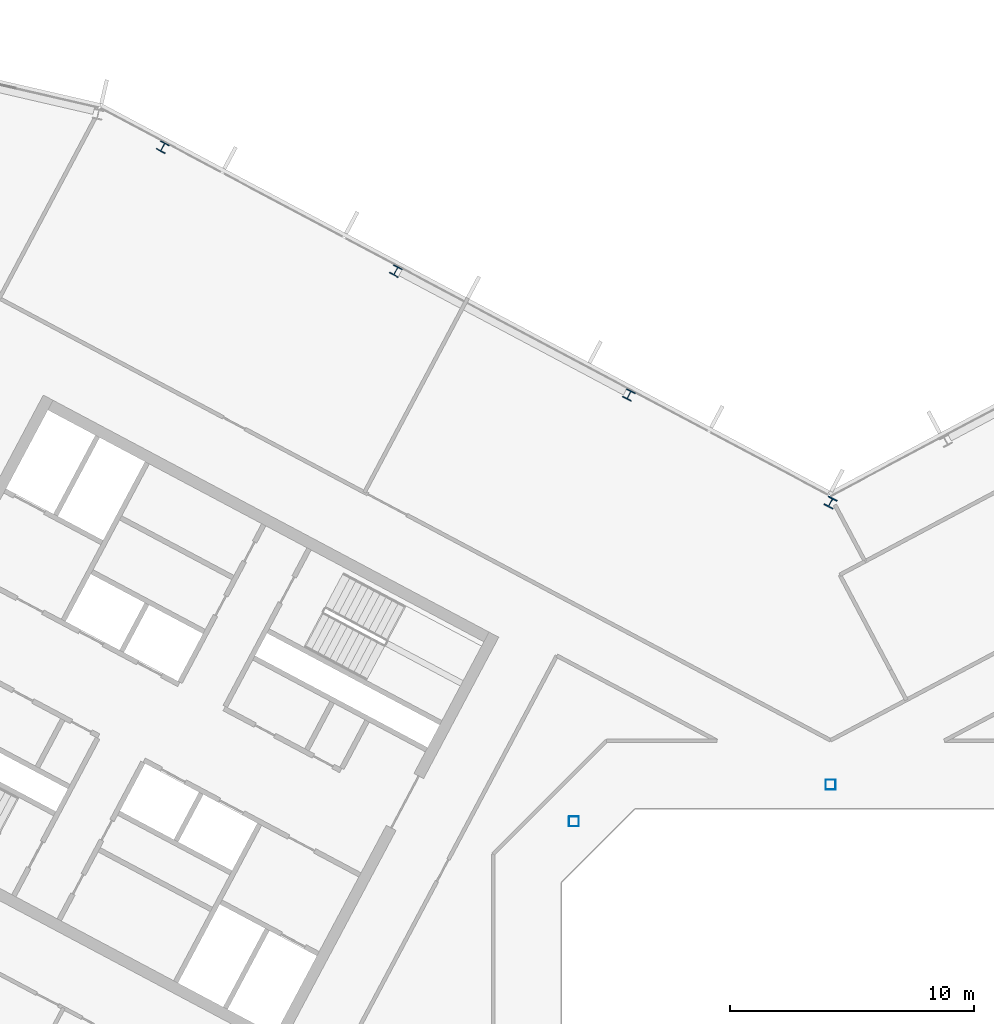
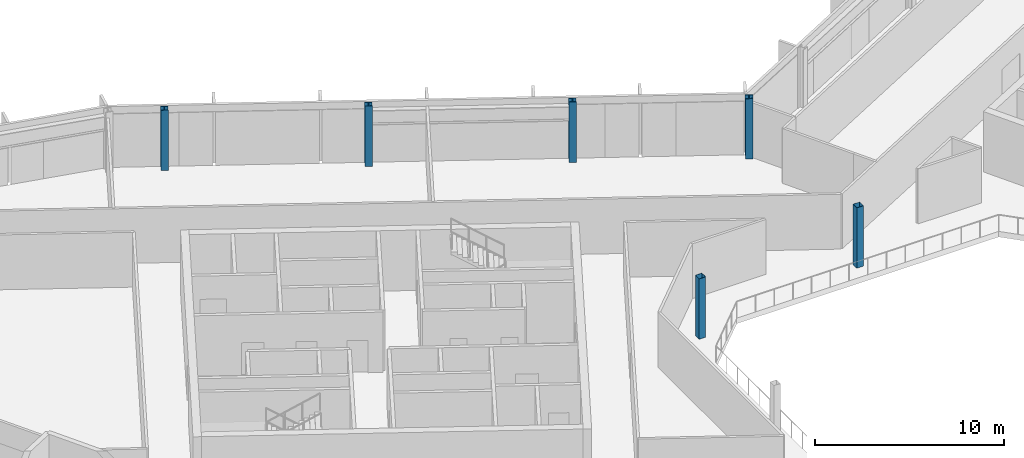
# One storey, part 4 of 26: 6 columns.
"""IFC4 building model written with IfcOpenShell, lengths in metres."""

from ifc_helpers import new_model, si_unit, direction, frame, origin, origin_2d, place, context, subcontext, project, spatial, hollow_rectangle, i_section, extrude, material, material_profile, profile_set, type_object, element, save


model = new_model("IFC4")

# Units and contexts
model_context = context("Model", 3, precision=1e-05, world=origin(), true_north=direction((0.0, 1.0)))
body_context = subcontext(model_context, "Body", "Model", "MODEL_VIEW")
ifc_project = project(units=[si_unit("LENGTHUNIT", "METRE"), si_unit("AREAUNIT", "SQUARE_METRE"), si_unit("VOLUMEUNIT", "CUBIC_METRE"), si_unit("PLANEANGLEUNIT", "RADIAN"), si_unit("MASSUNIT", "GRAM", prefix="KILO")], contexts=[model_context])

# Site, building, storey
site_placement = place(None, origin())
site = spatial("IfcSite", under=ifc_project, at=site_placement, CompositionType="ELEMENT")
building_placement = place(site_placement, origin())
building = spatial("IfcBuilding", under=site, at=building_placement, Name="Cormorant Relay Tower", CompositionType="ELEMENT")
storey_placement = place(building_placement, frame((0.0, 0.0, 277.5)))
storey = spatial("IfcBuildingStorey", under=building, at=storey_placement, Name="L62", CompositionType="ELEMENT", Elevation=277.5)

# Columns
ifc_material_1 = material(Name="Steel ASTM A500 Grade C (Fy 345 MPa)", Category="steel")
ifc_material_profile_1 = material_profile(ifc_material_1, hollow_rectangle(XDim=0.406494140625, YDim=0.406494140625, WallThickness=0.0087890625, InnerFilletRadius=0.00439453125, OuterFilletRadius=0.01318359375, at=origin_2d()), Name="HSS406x406x9")
ifc_profile_set_1 = profile_set([ifc_material_profile_1], Name="Steel ASTM A500 Grade C (Fy 345 MPa)")
column_type_1 = type_object("IfcColumnType", Name="Column HSS406x406x9", PredefinedType="COLUMN", material=ifc_profile_set_1)
for number, where, z_axis, x_axis, name in (
    (1, (-10.5, 10.5, 0.0), (0.0, 0.0, 1.0), (1.0, 0.0, 0.0), "Column L62-023"),
    (2, (0.0, 12.0, 0.0), (0.0, 0.0, 1.0), (1.0, 0.0, 0.0), "Column L62-025"),
):
    element("IfcColumn", number, at=place(storey_placement, frame(where, z_axis=z_axis, x_axis=x_axis)), inside=storey, type_object=column_type_1, Name=name, PredefinedType="COLUMN", context=body_context, shape_type="SweptSolid", body=[
        extrude(hollow_rectangle(XDim=0.406494140625, YDim=0.406494140625, WallThickness=0.0087890625, InnerFilletRadius=0.00439453125, OuterFilletRadius=0.01318359375, at=origin_2d()), origin(), (0.0, 0.0, 1.0), 3.89990234375),
    ])
ifc_material_2 = material(Name="Steel ASTM A992 (Fy 345 MPa)", Category="steel")
ifc_material_profile_2 = material_profile(ifc_material_2, i_section(OverallWidth=0.398681640625, OverallDepth=0.385986328125, WebThickness=0.02099609375, FlangeThickness=0.033203125, FilletRadius=0.01513671875, at=origin_2d()), Name="W360x262")
ifc_profile_set_2 = profile_set([ifc_material_profile_2], Name="Steel ASTM A992 (Fy 345 MPa)")
column_type_2 = type_object("IfcColumnType", Name="Column W360x262", PredefinedType="COLUMN", material=ifc_profile_set_2)
for number, where, z_axis, x_axis, name in (
    (3, (-8.2470703125, 27.943115234375, 0.0), (0.0, 0.0, 1.0), (-0.882947592859, 0.469471562786, 0.0), "Column L62-032"),
    (4, (-17.782958984375, 33.012939453125, 0.0), (0.0, 0.0, 1.0), (-0.882947592859, 0.469471562786, 0.0), "Column L62-036"),
    (5, (-27.319091796875, 38.0830078125, 0.0), (0.0, 0.0, 1.0), (-0.882947592859, 0.469471562786, 0.0), "Column L62-040"),
):
    element("IfcColumn", number, at=place(storey_placement, frame(where, z_axis=z_axis, x_axis=x_axis)), inside=storey, type_object=column_type_2, Name=name, PredefinedType="COLUMN", context=body_context, shape_type="SweptSolid", body=[
        extrude(i_section(OverallWidth=0.398681640625, OverallDepth=0.385986328125, WebThickness=0.02099609375, FlangeThickness=0.033203125, FilletRadius=0.01513671875, at=origin_2d()), origin(), (0.0, 0.0, 1.0), 3.89990234375),
    ])
ifc_material_3 = material(Name="Steel ASTM A992 (Fy 345 MPa)", Category="steel")
ifc_material_profile_3 = material_profile(ifc_material_3, i_section(OverallWidth=0.40380859375, OverallDepth=0.406494140625, WebThickness=0.027099609375, FlangeThickness=0.043701171875, FilletRadius=0.01513671875, at=origin_2d()), Name="W360x347")
ifc_profile_set_3 = profile_set([ifc_material_profile_3], Name="Steel ASTM A992 (Fy 345 MPa)")
column_type_3 = type_object("IfcColumnType", Name="Column W360x347", PredefinedType="COLUMN", material=ifc_profile_set_3)
column_placement = place(storey_placement, frame((0.0, 23.5439453125, 0.0), z_axis=(0.0, 0.0, 1.0), x_axis=(-0.882947592859, 0.469471562786, 0.0)))
element("IfcColumn", 6, at=column_placement, inside=storey, type_object=column_type_3, Name="Column L62-029", PredefinedType="COLUMN", context=body_context, shape_type="SweptSolid", body=[
    extrude(i_section(OverallWidth=0.40380859375, OverallDepth=0.406494140625, WebThickness=0.027099609375, FlangeThickness=0.043701171875, FilletRadius=0.01513671875, at=origin_2d()), origin(), (0.0, 0.0, 1.0), 3.89990234375),
])

save(model, "model.ifc")
